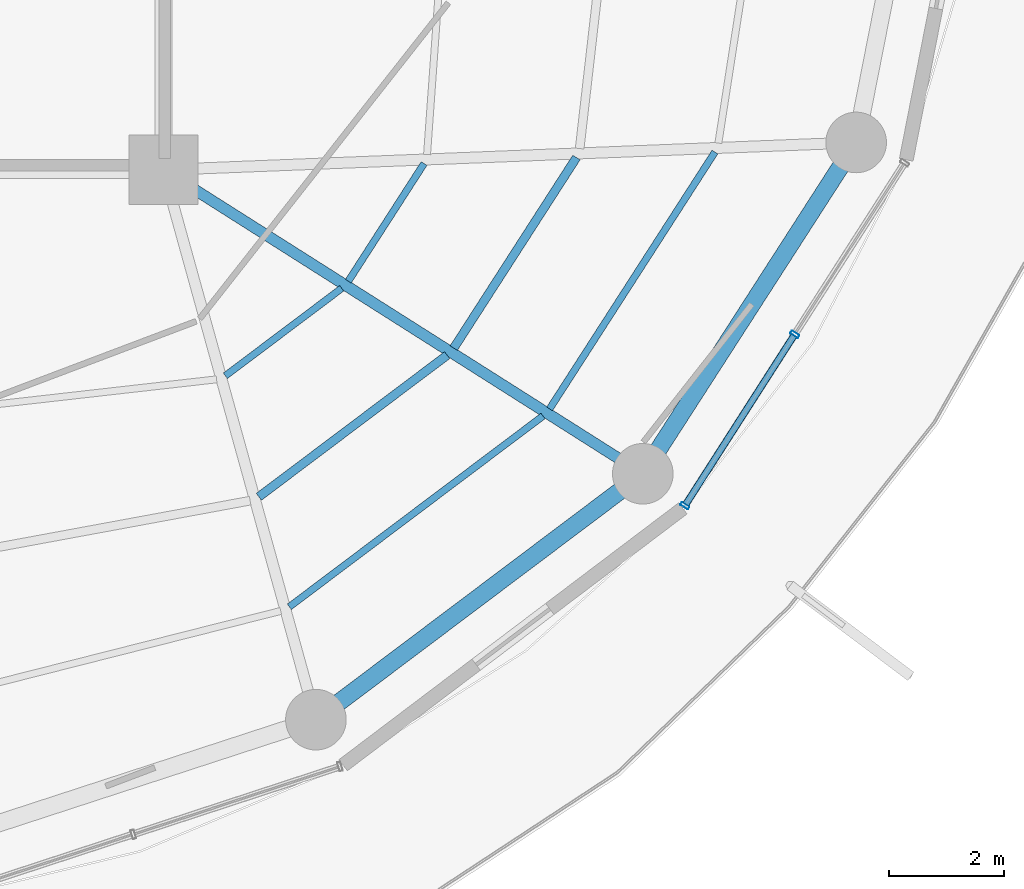
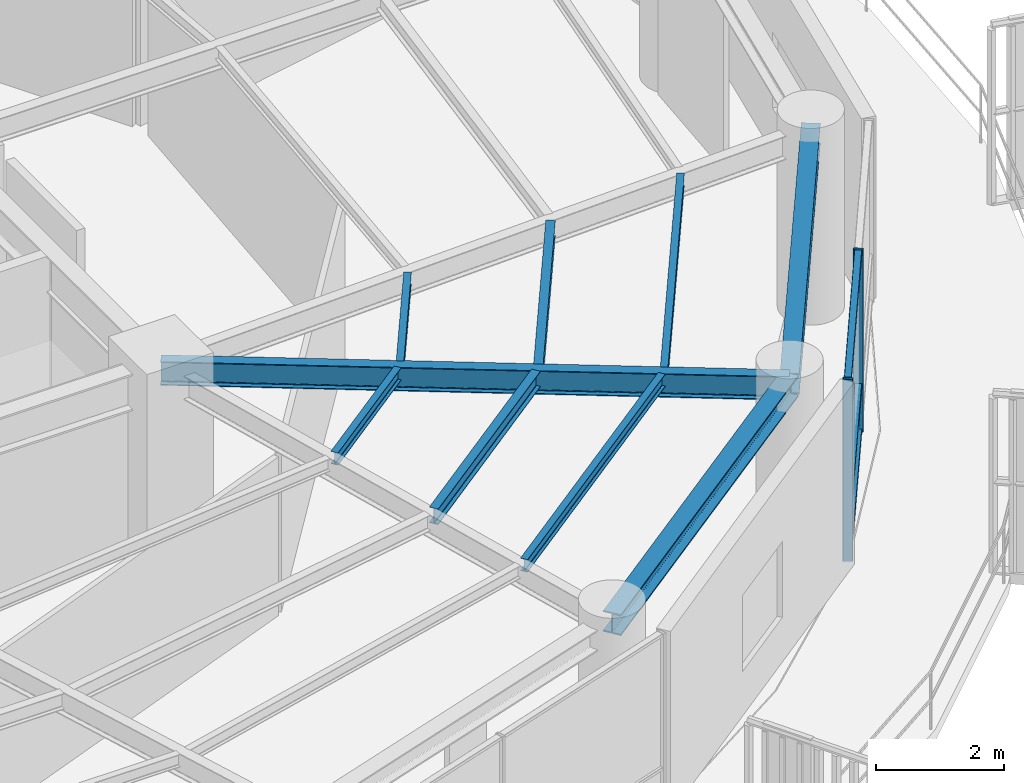
# One storey, part 11 of 30: 9 beams, 5 members, 1 element without a shape of its own.
"""IFC4 building model written with IfcOpenShell, lengths in metres."""

from ifc_helpers import new_model, si_unit, direction, frame, origin, origin_2d, place, context, subcontext, project, spatial, hollow_rectangle, i_section, extrude, material, layer, layer_set, material_profile, profile_set, type_object, element, aggregate, save


model = new_model("IFC4")

# Units and contexts
model_context = context("Model", 3, precision=1e-05, world=origin(), true_north=direction((0.0, 1.0)))
body_context = subcontext(model_context, "Body", "Model", "MODEL_VIEW")
ifc_project = project(units=[si_unit("LENGTHUNIT", "METRE"), si_unit("AREAUNIT", "SQUARE_METRE"), si_unit("VOLUMEUNIT", "CUBIC_METRE"), si_unit("PLANEANGLEUNIT", "RADIAN"), si_unit("MASSUNIT", "GRAM", prefix="KILO")], contexts=[model_context])

# Site, building, storey
site_placement = place(None, origin())
site = spatial("IfcSite", under=ifc_project, at=site_placement, CompositionType="ELEMENT")
building_placement = place(site_placement, origin())
building = spatial("IfcBuilding", under=site, at=building_placement, Name="Kelanora Arch Commons", CompositionType="ELEMENT")
storey_placement = place(building_placement, frame((0.0, 0.0, 204.449951171875)))
storey = spatial("IfcBuildingStorey", under=building, at=storey_placement, Name="L52", CompositionType="ELEMENT", Elevation=204.449951171875)

# Beams
ifc_material_1 = material(Name="Steel S355", Category="steel")
ifc_material_profile_1 = material_profile(ifc_material_1, i_section(OverallWidth=0.14990234375, OverallDepth=0.300048828125, WebThickness=0.007080078125, FlangeThickness=0.0107421875, FilletRadius=0.014892578125, at=origin_2d()), Name="IPE300")
ifc_profile_set_1 = profile_set([ifc_material_profile_1], Name="Steel S355")
beam_type_1 = type_object("IfcBeamType", Name="BM-JST-01", PredefinedType="JOIST", material=ifc_profile_set_1)
beam_1_placement = place(storey_placement, frame((83.65185546875, 45.3369140625, 3.340087890625), z_axis=(0.799101708656, 0.601195857624, 0.0), x_axis=(-0.601195857624, 0.799101708656, 0.0)))
element("IfcBeam", 1, at=beam_1_placement, inside=storey, type_object=beam_type_1, Name="Secondary Chord Joist BJB-30 L52", PredefinedType="JOIST", context=body_context, shape_type="SweptSolid", body=[
    extrude(i_section(OverallWidth=0.14990234375, OverallDepth=0.300048828125, WebThickness=0.007080078125, FlangeThickness=0.0107421875, FilletRadius=0.014892578125, at=origin_2d()), origin(), (0.0, 0.0, 1.0), 4.080810546875),
])
beam_2_placement = place(storey_placement, frame((87.02685546875, 47.912841796875, 3.340087890625), z_axis=(0.541411265892, 0.840757896879, 0.0), x_axis=(-0.840757896879, 0.541411265892, 0.0)))
element("IfcBeam", 2, at=beam_2_placement, inside=storey, type_object=beam_type_1, Name="Secondary Chord Joist BJB-32 L52", PredefinedType="JOIST", context=body_context, shape_type="SweptSolid", body=[
    extrude(i_section(OverallWidth=0.14990234375, OverallDepth=0.300048828125, WebThickness=0.007080078125, FlangeThickness=0.0107421875, FilletRadius=0.014892578125, at=origin_2d()), origin(), (0.0, 0.0, 1.0), 3.92529296875),
])
ifc_material_profile_2 = material_profile(ifc_material_1, i_section(OverallWidth=0.1201171875, OverallDepth=0.239990234375, WebThickness=0.006103515625, FlangeThickness=0.009765625, FilletRadius=0.014892578125, at=origin_2d()), Name="IPE240")
ifc_profile_set_2 = profile_set([ifc_material_profile_2], Name="Steel S355")
beam_type_2 = type_object("IfcBeamType", Name="BM-JST-02", PredefinedType="JOIST", material=ifc_profile_set_2)
beam_3_placement = place(storey_placement, frame((83.071044921875, 47.43212890625, 3.3701171875), z_axis=(0.79911638933, 0.601176343766, 0.0), x_axis=(-0.601176343766, 0.79911638933, 0.0)))
element("IfcBeam", 3, at=beam_3_placement, inside=storey, type_object=beam_type_2, Name="Secondary Chord Joist BJA-30 L52", PredefinedType="JOIST", context=body_context, shape_type="SweptSolid", body=[
    extrude(i_section(OverallWidth=0.1201171875, OverallDepth=0.239990234375, WebThickness=0.006103515625, FlangeThickness=0.009765625, FilletRadius=0.014892578125, at=origin_2d()), origin(), (0.0, 0.0, 1.0), 2.522216796875),
])
beam_4_placement = place(storey_placement, frame((84.179931640625, 43.43212890625, 3.3701171875), z_axis=(0.799109197935, 0.601185902842, 0.0), x_axis=(-0.601185902842, 0.799109197935, 0.0)))
element("IfcBeam", 4, at=beam_4_placement, inside=storey, type_object=beam_type_2, Name="Secondary Chord Joist BJC-30 L52", PredefinedType="JOIST", context=body_context, shape_type="SweptSolid", body=[
    extrude(i_section(OverallWidth=0.1201171875, OverallDepth=0.239990234375, WebThickness=0.006103515625, FlangeThickness=0.009765625, FilletRadius=0.014892578125, at=origin_2d()), origin(), (0.0, 0.0, 1.0), 5.497802734375),
])
beam_5_placement = place(storey_placement, frame((85.20068359375, 49.071044921875, 3.3701171875), z_axis=(0.541332763503, 0.840808443796, 0.0), x_axis=(-0.840808443796, 0.541332763503, 0.0)))
element("IfcBeam", 5, at=beam_5_placement, inside=storey, type_object=beam_type_2, Name="Secondary Chord Joist BJA-32 L52", PredefinedType="JOIST", context=body_context, shape_type="SweptSolid", body=[
    extrude(i_section(OverallWidth=0.1201171875, OverallDepth=0.239990234375, WebThickness=0.006103515625, FlangeThickness=0.009765625, FilletRadius=0.014892578125, at=origin_2d()), origin(), (0.0, 0.0, 1.0), 2.423583984375),
])
beam_6_placement = place(storey_placement, frame((88.68701171875, 46.85986328125, 3.3701171875), z_axis=(0.541382492679, 0.840776424872, 0.0), x_axis=(-0.840776424872, 0.541382492679, 0.0)))
element("IfcBeam", 6, at=beam_6_placement, inside=storey, type_object=beam_type_2, Name="Secondary Chord Joist BJC-32 L52", PredefinedType="JOIST", context=body_context, shape_type="SweptSolid", body=[
    extrude(i_section(OverallWidth=0.1201171875, OverallDepth=0.239990234375, WebThickness=0.006103515625, FlangeThickness=0.009765625, FilletRadius=0.014892578125, at=origin_2d()), origin(), (0.0, 0.0, 1.0), 5.29052734375),
])
ifc_material_profile_3 = material_profile(ifc_material_1, i_section(OverallWidth=0.18994140625, OverallDepth=0.449951171875, WebThickness=0.009521484375, FlangeThickness=0.0146484375, FilletRadius=0.02099609375, at=origin_2d()), Name="IPE450")
ifc_profile_set_3 = profile_set([ifc_material_profile_3], Name="Steel S355")
beam_type_3 = type_object("IfcBeamType", Name="BM-RAD-Z4", PredefinedType="BEAM", material=ifc_profile_set_3)
beam_7_placement = place(storey_placement, frame((82.0, 51.0, 3.26513671875), z_axis=(0.844507208607, -0.535544185489, 0.0), x_axis=(0.535544185489, 0.844507208607, 0.0)))
element("IfcBeam", 7, at=beam_7_placement, inside=storey, type_object=beam_type_3, Name="Radial Floor Girder BR-32 L52", PredefinedType="BEAM", context=body_context, shape_type="SweptSolid", body=[
    extrude(i_section(OverallWidth=0.18994140625, OverallDepth=0.449951171875, WebThickness=0.009521484375, FlangeThickness=0.0146484375, FilletRadius=0.02099609375, at=origin_2d()), origin(), (0.0, 0.0, 1.0), 9.830078125),
])
ifc_material_profile_4 = material_profile(ifc_material_1, i_section(OverallWidth=0.300048828125, OverallDepth=0.39990234375, WebThickness=0.013427734375, FlangeThickness=0.02392578125, FilletRadius=0.027099609375, at=origin_2d()), Name="HEB400")
ifc_profile_set_4 = profile_set([ifc_material_profile_4], Name="Steel S355")
beam_type_4 = type_object("IfcBeamType", Name="BM-SPN-Z4", PredefinedType="SPANDREL", material=ifc_profile_set_4)
beam_8_placement = place(storey_placement, frame((84.639892578125, 41.476318359375, 3.2900390625), z_axis=(0.799114211715, 0.60117923836, 0.0), x_axis=(-0.60117923836, 0.799114211715, 0.0)))
element("IfcBeam", 8, at=beam_8_placement, inside=storey, type_object=beam_type_4, Name="Perimeter Spandrel Beam BS-30 L52", PredefinedType="SPANDREL", context=body_context, shape_type="SweptSolid", body=[
    extrude(i_section(OverallWidth=0.300048828125, OverallDepth=0.39990234375, WebThickness=0.013427734375, FlangeThickness=0.02392578125, FilletRadius=0.027099609375, at=origin_2d()), origin(), (0.0, 0.0, 1.0), 7.0849609375),
])
beam_9_placement = place(storey_placement, frame((90.301513671875, 45.735595703125, 3.2900390625), z_axis=(0.541364878868, 0.840787766281, 0.0), x_axis=(-0.840787766281, 0.541364878868, 0.0)))
element("IfcBeam", 9, at=beam_9_placement, inside=storey, type_object=beam_type_4, Name="Perimeter Spandrel Beam BS-32 L52", PredefinedType="SPANDREL", context=body_context, shape_type="SweptSolid", body=[
    extrude(i_section(OverallWidth=0.300048828125, OverallDepth=0.39990234375, WebThickness=0.013427734375, FlangeThickness=0.02392578125, FilletRadius=0.027099609375, at=origin_2d()), origin(), (0.0, 0.0, 1.0), 6.825439453125),
])

# Curtain wall, members
ifc_material_2 = material(Name="Terracotta ceramic-fritted low-E glass and aluminium", Category="masonry")
ifc_layer = layer(ifc_material_2, 0.175048828125)
ifc_layer_set = layer_set([ifc_layer], Name="Terracotta ceramic-fritted low-E glass and aluminium")
curtain_wall_type = type_object("IfcCurtainWallType", Name="CW-SYS-02", PredefinedType="NOTDEFINED", material=ifc_layer_set)
curtain_wall_placement = place(storey_placement, origin())
curtain_wall = element("IfcCurtainWall", 10, at=curtain_wall_placement, inside=storey, type_object=curtain_wall_type, Name="Unitised Curtain Wall L52-B16", PredefinedType="NOTDEFINED")
ifc_material_3 = material(Name="Powder-coated aluminium terracotta", Category="masonry")
ifc_material_profile_5 = material_profile(ifc_material_3, hollow_rectangle(XDim=0.159912109375, YDim=0.06005859375, WallThickness=0.0048828125, InnerFilletRadius=0.0048828125, OuterFilletRadius=0.010009765625, at=origin_2d()), Name="CWM160x60")
ifc_profile_set_5 = profile_set([ifc_material_profile_5], Name="Powder-coated aluminium terracotta")
member_type_1 = type_object("IfcMemberType", Name="CWM-STD", PredefinedType="MULLION", material=ifc_profile_set_5)
member_1_placement = place(storey_placement, frame((91.030517578125, 45.18212890625, 0.0), z_axis=(0.0, 0.0, 1.0), x_axis=(-0.84194757539, 0.539559338994, 0.0)))
member_1 = element("IfcMember", 11, at=member_1_placement, type_object=member_type_1, Name="CW-02 mullion 1", PredefinedType="MULLION", context=body_context, shape_type="SweptSolid", body=[
    extrude(hollow_rectangle(XDim=0.159912109375, YDim=0.06005859375, WallThickness=0.0048828125, InnerFilletRadius=0.0048828125, OuterFilletRadius=0.010009765625, at=origin_2d()), origin(), (0.0, 0.0, 1.0), 3.47509765625),
])
member_2_placement = place(storey_placement, frame((92.93359375, 48.15185546875, 0.0), z_axis=(0.0, 0.0, 1.0), x_axis=(-0.84194757539, 0.539559338994, 0.0)))
member_2 = element("IfcMember", 12, at=member_2_placement, type_object=member_type_1, Name="CW-02 mullion 2", PredefinedType="MULLION", context=body_context, shape_type="SweptSolid", body=[
    extrude(hollow_rectangle(XDim=0.159912109375, YDim=0.06005859375, WallThickness=0.0048828125, InnerFilletRadius=0.0048828125, OuterFilletRadius=0.010009765625, at=origin_2d()), origin(), (0.0, 0.0, 1.0), 3.47509765625),
])
ifc_material_profile_6 = material_profile(ifc_material_3, hollow_rectangle(XDim=0.1201171875, YDim=0.06005859375, WallThickness=0.0048828125, InnerFilletRadius=0.0048828125, OuterFilletRadius=0.010009765625, at=origin_2d()), Name="CWT120x60")
ifc_profile_set_6 = profile_set([ifc_material_profile_6], Name="Powder-coated aluminium terracotta")
member_type_2 = type_object("IfcMemberType", Name="CWT-STD", PredefinedType="USERDEFINED", material=ifc_profile_set_6)
member_3_placement = place(storey_placement, frame((91.046630859375, 45.207275390625, 0.030029296875), z_axis=(0.53954710894, 0.841955412854, 0.0), x_axis=(-0.841955412854, 0.53954710894, 0.0)))
member_3 = element("IfcMember", 13, at=member_3_placement, type_object=member_type_2, Name="CW-02 transom 1.1", ObjectType="TRANSOM", PredefinedType="USERDEFINED", context=body_context, shape_type="SweptSolid", body=[
    extrude(hollow_rectangle(XDim=0.1201171875, YDim=0.06005859375, WallThickness=0.0048828125, InnerFilletRadius=0.0048828125, OuterFilletRadius=0.010009765625, at=origin_2d()), origin(), (0.0, 0.0, 1.0), 3.467529296875),
])
member_4_placement = place(storey_placement, frame((91.046630859375, 45.207275390625, 0.900146484375), z_axis=(0.53954710894, 0.841955412854, 0.0), x_axis=(-0.841955412854, 0.53954710894, 0.0)))
member_4 = element("IfcMember", 14, at=member_4_placement, type_object=member_type_2, Name="CW-02 transom 1.2", ObjectType="TRANSOM", PredefinedType="USERDEFINED", context=body_context, shape_type="SweptSolid", body=[
    extrude(hollow_rectangle(XDim=0.1201171875, YDim=0.06005859375, WallThickness=0.0048828125, InnerFilletRadius=0.0048828125, OuterFilletRadius=0.010009765625, at=origin_2d()), origin(), (0.0, 0.0, 1.0), 3.467529296875),
])
member_5_placement = place(storey_placement, frame((91.046630859375, 45.207275390625, 3.445068359375), z_axis=(0.53954710894, 0.841955412854, 0.0), x_axis=(-0.841955412854, 0.53954710894, 0.0)))
member_5 = element("IfcMember", 15, at=member_5_placement, type_object=member_type_2, Name="CW-02 transom 1.3", ObjectType="TRANSOM", PredefinedType="USERDEFINED", context=body_context, shape_type="SweptSolid", body=[
    extrude(hollow_rectangle(XDim=0.1201171875, YDim=0.06005859375, WallThickness=0.0048828125, InnerFilletRadius=0.0048828125, OuterFilletRadius=0.010009765625, at=origin_2d()), origin(), (0.0, 0.0, 1.0), 3.467529296875),
])
aggregate(curtain_wall, [member_1, member_2, member_3, member_4, member_5])

save(model, "model.ifc")
